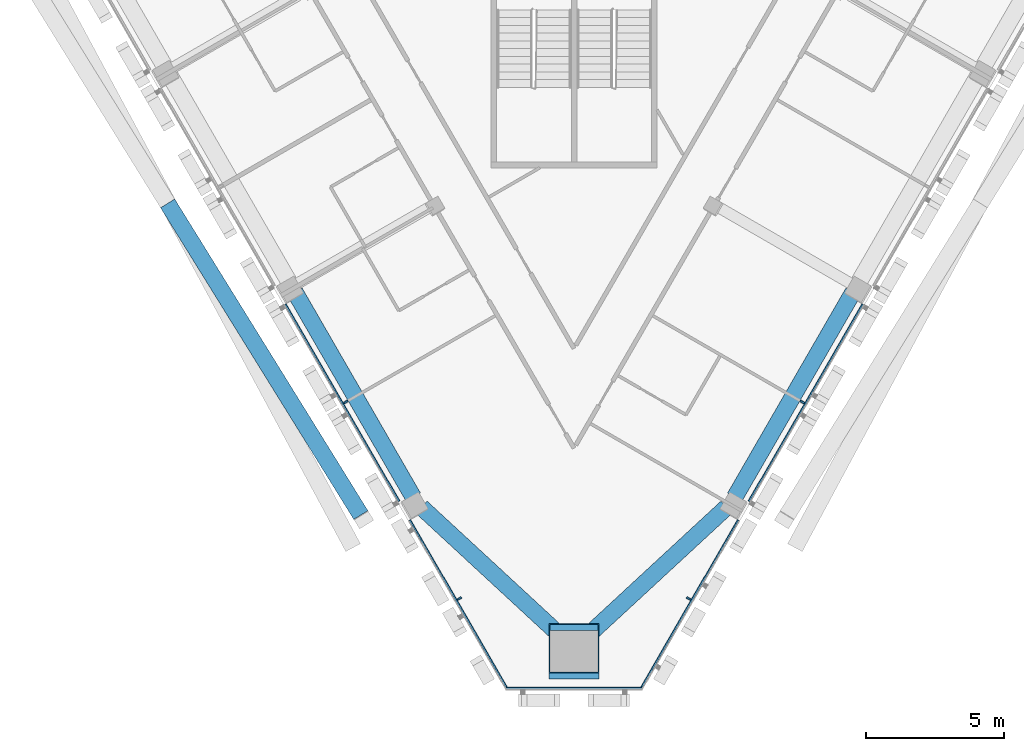
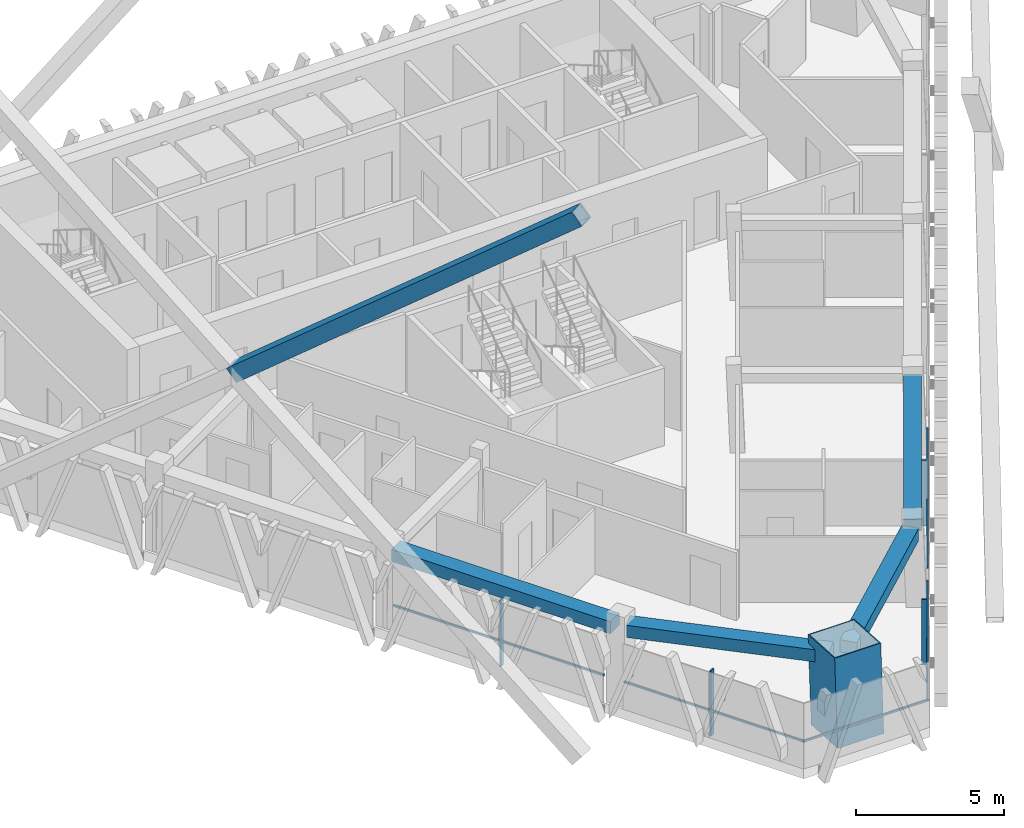
# One storey, part 2 of 14: 11 members, 4 beams, 3 elements without a shape of their own.
"""IFC4 building model written with IfcOpenShell, lengths in metres."""

from ifc_helpers import new_model, si_unit, direction, frame, origin, origin_2d, place, context, subcontext, project, spatial, rectangle, hollow_rectangle, extrude, material, layer, layer_set, material_profile, profile_set, type_object, element, aggregate, save


model = new_model("IFC4")

# Units and contexts
model_context = context("Model", 3, precision=1e-05, world=origin(), true_north=direction((0.0, 1.0)))
body_context = subcontext(model_context, "Body", "Model", "MODEL_VIEW")
ifc_project = project(units=[si_unit("LENGTHUNIT", "METRE"), si_unit("AREAUNIT", "SQUARE_METRE"), si_unit("VOLUMEUNIT", "CUBIC_METRE"), si_unit("PLANEANGLEUNIT", "RADIAN"), si_unit("MASSUNIT", "GRAM", prefix="KILO")], contexts=[model_context])

# Site, building, storey
site_placement = place(None, origin())
site = spatial("IfcSite", under=ifc_project, at=site_placement, CompositionType="ELEMENT")
building_placement = place(site_placement, origin())
building = spatial("IfcBuilding", under=site, at=building_placement, Name="Altiplano Prism Tower", CompositionType="ELEMENT")
storey_placement = place(building_placement, frame((0.0, 0.0, 264.39990234375)))
storey = spatial("IfcBuildingStorey", under=building, at=storey_placement, Name="L68", CompositionType="ELEMENT", Elevation=264.39990234375)

# Curtain wall, members
ifc_material_1 = material(Name="Aluminium and glass", Category="aluminium")
ifc_layer = layer(ifc_material_1, 0.280029296875)
ifc_layer_set = layer_set([ifc_layer], Name="Aluminium and glass")
curtain_wall_type = type_object("IfcCurtainWallType", Name="CW1 typical co-living unitised curtain wall", PredefinedType="NOTDEFINED", material=ifc_layer_set)
curtain_wall_1_placement = place(storey_placement, origin())
curtain_wall_1 = element("IfcCurtainWall", 1, at=curtain_wall_1_placement, inside=storey, type_object=curtain_wall_type, Name="CW1 curtain wall south-west face L68", PredefinedType="NOTDEFINED")
ifc_material_2 = material(Name="Aluminium", Category="aluminium")
ifc_material_profile_1 = material_profile(ifc_material_2, rectangle(XDim=0.179931640625, YDim=0.06494140625, at=origin_2d()), Name="CW1 mullion 65 x 180")
ifc_profile_set_1 = profile_set([ifc_material_profile_1], Name="Aluminium")
member_type_1 = type_object("IfcMemberType", Name="CW1 mullion 65 x 180", PredefinedType="MULLION", material=ifc_profile_set_1)
member_1_placement = place(storey_placement, frame((76.7529296875, 74.93701171875, 0.0), z_axis=(0.0, 0.0, 1.0), x_axis=(0.866025409343, 0.499999990372, 0.0)))
member_1 = element("IfcMember", 2, at=member_1_placement, type_object=member_type_1, Name="CW1 mullion", PredefinedType="MULLION", context=body_context, shape_type="SweptSolid", body=[
    extrude(rectangle(XDim=0.179931640625, YDim=0.06494140625, at=origin_2d()), origin(), (0.0, 0.0, 1.0), 2.7001953125),
])
member_2_placement = place(storey_placement, frame((80.8525390625, 67.836181640625, 0.0), z_axis=(0.0, 0.0, 1.0), x_axis=(0.866025409343, 0.499999990372, 0.0)))
member_2 = element("IfcMember", 3, at=member_2_placement, type_object=member_type_1, Name="CW1 mullion", PredefinedType="MULLION", context=body_context, shape_type="SweptSolid", body=[
    extrude(rectangle(XDim=0.179931640625, YDim=0.06494140625, at=origin_2d()), origin(), (0.0, 0.0, 1.0), 2.7001953125),
])

curtain_wall_2_placement = place(storey_placement, origin())
curtain_wall_2 = element("IfcCurtainWall", 4, at=curtain_wall_2_placement, inside=storey, type_object=curtain_wall_type, Name="CW1 curtain wall south-east face L68", PredefinedType="NOTDEFINED")
member_3_placement = place(storey_placement, frame((89.1474609375, 67.836181640625, 0.0), z_axis=(0.0, 0.0, 1.0), x_axis=(-0.866025409343, 0.499999990372, 0.0)))
member_3 = element("IfcMember", 5, at=member_3_placement, type_object=member_type_1, Name="CW1 mullion", PredefinedType="MULLION", context=body_context, shape_type="SweptSolid", body=[
    extrude(rectangle(XDim=0.179931640625, YDim=0.06494140625, at=origin_2d()), origin(), (0.0, 0.0, 1.0), 2.7001953125),
])
member_4_placement = place(storey_placement, frame((93.2470703125, 74.93701171875, 0.0), z_axis=(0.0, 0.0, 1.0), x_axis=(-0.866025409343, 0.499999990372, 0.0)))
member_4 = element("IfcMember", 6, at=member_4_placement, type_object=member_type_1, Name="CW1 mullion", PredefinedType="MULLION", context=body_context, shape_type="SweptSolid", body=[
    extrude(rectangle(XDim=0.179931640625, YDim=0.06494140625, at=origin_2d()), origin(), (0.0, 0.0, 1.0), 2.7001953125),
])

# Member
ifc_material_profile_2 = material_profile(ifc_material_2, rectangle(XDim=0.06005859375, YDim=0.080078125, at=origin_2d()), Name="CW1 transom 80 x 60")
ifc_profile_set_2 = profile_set([ifc_material_profile_2], Name="Aluminium")
member_type_2 = type_object("IfcMemberType", Name="CW1 transom 80 x 60", PredefinedType="USERDEFINED", material=ifc_profile_set_2)
member_5_placement = place(storey_placement, frame((74.57421875, 78.470703125, 1.10009765625), z_axis=(0.499991554064, -0.866030279993, 0.0), x_axis=(0.866030279993, 0.499991554064, 0.0)))
member_5 = element("IfcMember", 7, at=member_5_placement, type_object=member_type_2, Name="CW1 transom", ObjectType="TRANSOM", PredefinedType="USERDEFINED", context=body_context, shape_type="SweptSolid", body=[
    extrude(rectangle(XDim=0.06005859375, YDim=0.080078125, at=origin_2d()), origin(), (0.0, 0.0, 1.0), 8.219970703125),
])

member_6_placement = place(storey_placement, frame((79.07421875, 70.676513671875, 1.10009765625), z_axis=(0.499987302471, -0.866032734582, 0.0), x_axis=(0.866032734582, 0.499987302471, 0.0)))
member_6 = element("IfcMember", 8, at=member_6_placement, type_object=member_type_2, Name="CW1 transom", ObjectType="TRANSOM", PredefinedType="USERDEFINED", context=body_context, shape_type="SweptSolid", body=[
    extrude(rectangle(XDim=0.06005859375, YDim=0.080078125, at=origin_2d()), origin(), (0.0, 0.0, 1.0), 7.048583984375),
])

aggregate(curtain_wall_1, [member_1, member_5, member_2, member_6])

# Curtain wall, member
curtain_wall_3_placement = place(storey_placement, origin())
curtain_wall_3 = element("IfcCurtainWall", 9, at=curtain_wall_3_placement, inside=storey, type_object=curtain_wall_type, Name="CW1 curtain wall south chamfer L68", PredefinedType="NOTDEFINED")
member_7_placement = place(storey_placement, frame((82.537841796875, 64.607177734375, 1.10009765625), z_axis=(1.0, 0.0, 0.0), x_axis=(0.0, 1.0, 0.0)))
member_7 = element("IfcMember", 10, at=member_7_placement, type_object=member_type_2, Name="CW1 transom", ObjectType="TRANSOM", PredefinedType="USERDEFINED", context=body_context, shape_type="SweptSolid", body=[
    extrude(rectangle(XDim=0.06005859375, YDim=0.080078125, at=origin_2d()), origin(), (0.0, 0.0, 1.0), 4.92431640625),
])
aggregate(curtain_wall_3, [member_7])

# Member
member_8_placement = place(storey_placement, frame((87.401611328125, 64.572265625, 1.10009765625), z_axis=(0.499987302471, 0.866032734582, 0.0), x_axis=(-0.866032734582, 0.499987302471, 0.0)))
member_8 = element("IfcMember", 11, at=member_8_placement, type_object=member_type_2, Name="CW1 transom", ObjectType="TRANSOM", PredefinedType="USERDEFINED", context=body_context, shape_type="SweptSolid", body=[
    extrude(rectangle(XDim=0.06005859375, YDim=0.080078125, at=origin_2d()), origin(), (0.0, 0.0, 1.0), 7.048583984375),
])

member_9_placement = place(storey_placement, frame((91.31591796875, 71.35205078125, 1.10009765625), z_axis=(0.499991554064, 0.866030279993, 0.0), x_axis=(-0.866030279993, 0.499991554064, 0.0)))
member_9 = element("IfcMember", 12, at=member_9_placement, type_object=member_type_2, Name="CW1 transom", ObjectType="TRANSOM", PredefinedType="USERDEFINED", context=body_context, shape_type="SweptSolid", body=[
    extrude(rectangle(XDim=0.06005859375, YDim=0.080078125, at=origin_2d()), origin(), (0.0, 0.0, 1.0), 8.219970703125),
])

aggregate(curtain_wall_2, [member_3, member_8, member_4, member_9])

# Beams
ifc_material_3 = material(Name="Concrete C60/75", Category="concrete")
ifc_material_profile_3 = material_profile(ifc_material_3, rectangle(XDim=0.60009765625, YDim=0.5, at=origin_2d()), Name="Edge beam 600x500")
ifc_profile_set_3 = profile_set([ifc_material_profile_3], Name="Concrete C60/75")
beam_type = type_object("IfcBeamType", Name="Edge beam 600x500", PredefinedType="SPANDREL", material=ifc_profile_set_3)
beam_1_placement = place(storey_placement, frame((74.923095703125, 78.903564453125, 2.9501953125), z_axis=(0.500007039007, -0.866021339774, 0.0), x_axis=(0.866021339774, 0.500007039007, 0.0)))
element("IfcBeam", 13, at=beam_1_placement, inside=storey, type_object=beam_type, Name="Edge beam P13-P14 L69", PredefinedType="SPANDREL", context=body_context, shape_type="SweptSolid", body=[
    extrude(rectangle(XDim=0.60009765625, YDim=0.5, at=origin_2d()), origin(), (0.0, 0.0, 1.0), 8.5400390625),
])
for number, where, z_axis, x_axis, name in (
    (14, (79.489013671875, 71.141357421875, 2.9501953125), (0.734350831801, -0.678770105288, 0.0), (0.678770105288, 0.734350831801, 0.0), "Edge beam P14-M1 L69"),
    (15, (85.33056640625, 66.35302734375, 2.9501953125), (0.734350831801, 0.678770105288, 0.0), (-0.678770105288, 0.734350831801, 0.0), "Edge beam M1-P21 L69"),
):
    element("IfcBeam", number, at=place(storey_placement, frame(where, z_axis=z_axis, x_axis=x_axis)), inside=storey, type_object=beam_type, Name=name, PredefinedType="SPANDREL", context=body_context, shape_type="SweptSolid", body=[
        extrude(rectangle(XDim=0.60009765625, YDim=0.5, at=origin_2d()), origin(), (0.0, 0.0, 1.0), 7.054443359375),
    ])
beam_2_placement = place(storey_placement, frame((90.806884765625, 71.5078125, 2.9501953125), z_axis=(0.500007039007, 0.866021339774, 0.0), x_axis=(-0.866021339774, 0.500007039007, 0.0)))
element("IfcBeam", 16, at=beam_2_placement, inside=storey, type_object=beam_type, Name="Edge beam P21-P22 L69", PredefinedType="SPANDREL", context=body_context, shape_type="SweptSolid", body=[
    extrude(rectangle(XDim=0.60009765625, YDim=0.5, at=origin_2d()), origin(), (0.0, 0.0, 1.0), 8.5400390625),
])

# Members
ifc_material_4 = material(Name="Steel S355", Category="steel")
ifc_material_profile_4 = material_profile(ifc_material_4, hollow_rectangle(XDim=0.60009765625, YDim=0.60009765625, WallThickness=0.030029296875, at=origin_2d()), Name="Mega brace Box 600x600x30")
ifc_profile_set_4 = profile_set([ifc_material_profile_4], Name="Steel S355")
member_type_3 = type_object("IfcMemberType", Name="Mega brace Box 600x600x30", PredefinedType="BRACE", material=ifc_profile_set_4)
member_10_placement = place(storey_placement, frame((70.423095703125, 81.951904296875, 10.10009765625), z_axis=(0.407858383914, -0.657916200692, 0.633085943248), x_axis=(0.849931421706, 0.526893327342, 0.0)))
element("IfcMember", 17, at=member_10_placement, inside=storey, type_object=member_type_3, Name="Mega brace 7.1.2", PredefinedType="BRACE", context=body_context, shape_type="SweptSolid", body=[
    extrude(hollow_rectangle(XDim=0.60009765625, YDim=0.60009765625, WallThickness=0.030029296875, at=origin_2d()), origin(), (0.0, 0.0, 1.0), 17.1083984375),
])
ifc_material_5 = material(Name="Steel S460", Category="steel")
ifc_material_profile_5 = material_profile(ifc_material_5, hollow_rectangle(XDim=1.800048828125, YDim=1.800048828125, WallThickness=0.0400390625, at=origin_2d()), Name="Mega column tube 1800")
ifc_profile_set_5 = profile_set([ifc_material_profile_5], Name="Steel S460")
member_type_4 = type_object("IfcMemberType", Name="Mega column tube 1800", PredefinedType="POST", material=ifc_profile_set_5)
member_11_placement = place(storey_placement, frame((85.0, 65.837158203125, 0.0), z_axis=(0.0, 0.058356907999, 0.998295783467), x_axis=(-1.0, 0.0, 0.0)))
element("IfcMember", 18, at=member_11_placement, inside=storey, type_object=member_type_4, Name="Mega column tube M1 L68", PredefinedType="POST", context=body_context, shape_type="SweptSolid", body=[
    extrude(hollow_rectangle(XDim=1.800048828125, YDim=1.800048828125, WallThickness=0.0400390625, at=origin_2d()), origin(), (0.0, 0.0, 1.0), 3.606201171875),
])

save(model, "model.ifc")
